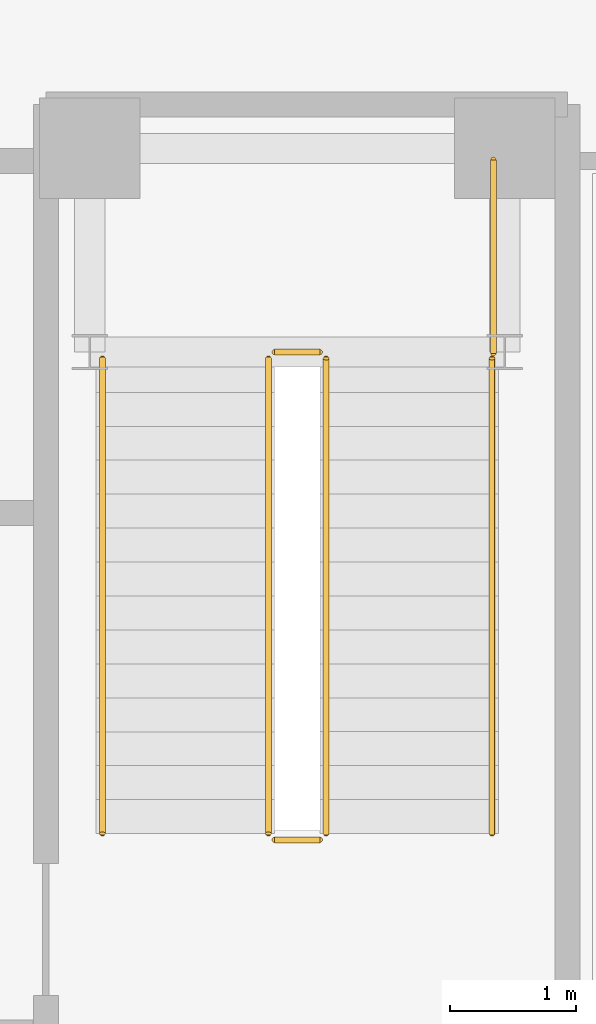
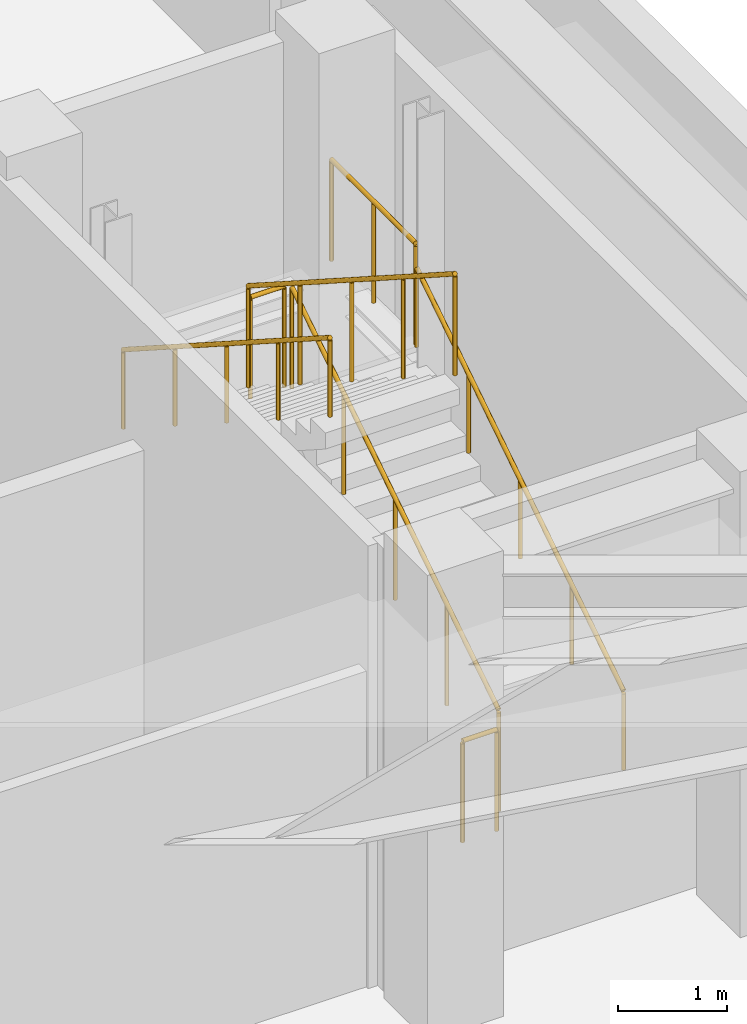
# One storey, part 27 of 27: 7 railings.
"""IFC4 building model written with IfcOpenShell, lengths in metres."""

from ifc_helpers import new_model, si_unit, direction, frame, origin, origin_2d, place, context, subcontext, project, spatial, circle, extrude, material, layer, layer_set, type_object, element, save


model = new_model("IFC4")

# Units and contexts
model_context = context("Model", 3, precision=1e-05, world=origin(), true_north=direction((0.0, 1.0)))
body_context = subcontext(model_context, "Body", "Model", "MODEL_VIEW")
ifc_project = project(units=[si_unit("LENGTHUNIT", "METRE"), si_unit("AREAUNIT", "SQUARE_METRE"), si_unit("VOLUMEUNIT", "CUBIC_METRE"), si_unit("PLANEANGLEUNIT", "RADIAN"), si_unit("MASSUNIT", "GRAM", prefix="KILO")], contexts=[model_context])

# Site, building, storey
site_placement = place(None, origin())
site = spatial("IfcSite", under=ifc_project, at=site_placement, CompositionType="ELEMENT")
building_placement = place(site_placement, origin())
building = spatial("IfcBuilding", under=site, at=building_placement, Name="Terralouvre Media Tower", CompositionType="ELEMENT")
storey_placement = place(building_placement, frame((0.0, 0.0, 20.800048828125)))
storey = spatial("IfcBuildingStorey", under=building, at=storey_placement, Name="L04", CompositionType="ELEMENT", Elevation=20.800048828125)

# Railings
ifc_material_1 = material(Name="Stainless steel 316 handrail and balustrade", Category="steel")
ifc_layer_1 = layer(ifc_material_1, 0.050048828125, Name="Stair Flight Wall Handrail HR-INT1")
ifc_layer_set_1 = layer_set([ifc_layer_1], Name="Stainless steel 316 handrail and balustrade")
railing_type_1 = type_object("IfcRailingType", Name="Stair Flight Wall Handrail HR-INT1", PredefinedType="HANDRAIL", material=ifc_layer_set_1)
railing_1_placement = place(storey_placement, frame((34.14990234375, 5.85009765625, 0.17333984375)))
element("IfcRailing", 1, at=railing_1_placement, inside=storey, type_object=railing_type_1, Name="L04 ST-04 stair handrail 1", PredefinedType="HANDRAIL", context=body_context, shape_type="SweptSolid", body=[
    extrude(circle(Radius=0.02392578125, at=origin_2d()), frame((0.0, 0.0, 0.8759765625), z_axis=(0.0, 0.84151738831, 0.540230029868), x_axis=(-1.0, 0.0, 0.0)), (0.0, 0.0, 1.0), 4.49169921875),
    extrude(circle(Radius=0.02099609375, at=origin_2d()), origin(), (0.0, 0.0, 1.0), 0.851806640625),
    extrude(circle(Radius=0.02099609375, at=origin_2d()), frame((0.0, 0.94482421875, 0.606689453125)), (0.0, 0.0, 1.0), 0.851806640625),
    extrude(circle(Radius=0.02099609375, at=origin_2d()), frame((0.0, 1.889892578125, 1.21337890625)), (0.0, 0.0, 1.0), 0.851806640625),
    extrude(circle(Radius=0.02099609375, at=origin_2d()), frame((0.0, 2.8349609375, 1.81982421875)), (0.0, 0.0, 1.0), 0.851806640625),
    extrude(circle(Radius=0.02099609375, at=origin_2d()), frame((0.0, 3.77978515625, 2.426513671875)), (0.0, 0.0, 1.0), 0.851806640625),
])
railing_2_placement = place(storey_placement, frame((31.050048828125, 9.6298828125, 2.773193359375)))
element("IfcRailing", 2, at=railing_2_placement, inside=storey, type_object=railing_type_1, Name="L04 ST-04 stair handrail 2", PredefinedType="HANDRAIL", context=body_context, shape_type="SweptSolid", body=[
    extrude(circle(Radius=0.02392578125, at=origin_2d()), frame((0.0, 0.0, 0.8759765625), z_axis=(0.0, -0.841492677865, 0.540268519441), x_axis=(1.0, 0.0, 0.0)), (0.0, 0.0, 1.0), 4.49169921875),
    extrude(circle(Radius=0.02099609375, at=origin_2d()), origin(), (0.0, 0.0, 1.0), 0.851806640625),
    extrude(circle(Radius=0.02099609375, at=origin_2d()), frame((0.0, -0.94482421875, 0.606689453125)), (0.0, 0.0, 1.0), 0.851806640625),
    extrude(circle(Radius=0.02099609375, at=origin_2d()), frame((0.0, -1.889892578125, 1.21337890625)), (0.0, 0.0, 1.0), 0.851806640625),
    extrude(circle(Radius=0.02099609375, at=origin_2d()), frame((0.0, -2.8349609375, 1.820068359375)), (0.0, 0.0, 1.0), 0.851806640625),
    extrude(circle(Radius=0.02099609375, at=origin_2d()), frame((0.0, -3.77978515625, 2.4267578125)), (0.0, 0.0, 1.0), 0.851806640625),
])
ifc_material_2 = material(Name="Stainless steel 316 handrail and balustrade", Category="steel")
ifc_layer_2 = layer(ifc_material_2, 0.050048828125, Name="Stairwell Safety Guardrail GR-INT1")
ifc_layer_set_2 = layer_set([ifc_layer_2], Name="Stainless steel 316 handrail and balustrade")
railing_type_2 = type_object("IfcRailingType", Name="Stairwell Safety Guardrail GR-INT1", PredefinedType="GUARDRAIL", material=ifc_layer_set_2)
railing_3_placement = place(storey_placement, frame((32.830078125, 5.85009765625, 0.17333984375)))
element("IfcRailing", 3, at=railing_3_placement, inside=storey, type_object=railing_type_2, Name="L04 ST-04 stair guard 1", PredefinedType="GUARDRAIL", context=body_context, shape_type="SweptSolid", body=[
    extrude(circle(Radius=0.02392578125, at=origin_2d()), frame((0.0, 0.0, 1.1259765625), z_axis=(0.0, 0.84151738831, 0.540230029868), x_axis=(-1.0, 0.0, 0.0)), (0.0, 0.0, 1.0), 4.49169921875),
    extrude(circle(Radius=0.02099609375, at=origin_2d()), origin(), (0.0, 0.0, 1.0), 1.101806640625),
    extrude(circle(Radius=0.02099609375, at=origin_2d()), frame((0.0, 0.94482421875, 0.606689453125)), (0.0, 0.0, 1.0), 1.101806640625),
    extrude(circle(Radius=0.02099609375, at=origin_2d()), frame((0.0, 1.889892578125, 1.21337890625)), (0.0, 0.0, 1.0), 1.101806640625),
    extrude(circle(Radius=0.02099609375, at=origin_2d()), frame((0.0, 2.8349609375, 1.81982421875)), (0.0, 0.0, 1.0), 1.101806640625),
    extrude(circle(Radius=0.02099609375, at=origin_2d()), frame((0.0, 3.77978515625, 2.426513671875)), (0.0, 0.0, 1.0), 1.101806640625),
])
railing_4_placement = place(storey_placement, frame((32.780029296875, 9.679931640625, 2.599853515625)))
element("IfcRailing", 4, at=railing_4_placement, inside=storey, type_object=railing_type_2, Name="L04 ST-04 stair guard 2", PredefinedType="GUARDRAIL", context=body_context, shape_type="SweptSolid", body=[
    extrude(circle(Radius=0.02392578125, at=origin_2d()), frame((0.0, 0.0, 1.1259765625), z_axis=(-1.0, 0.0, 0.0), x_axis=(0.0, -1.0, 0.0)), (0.0, 0.0, 1.0), 0.360107421875),
    extrude(circle(Radius=0.02099609375, at=origin_2d()), origin(), (0.0, 0.0, 1.0), 1.101806640625),
    extrude(circle(Radius=0.02099609375, at=origin_2d()), frame((-0.360107421875, 0.0, 0.0)), (0.0, 0.0, 1.0), 1.101806640625),
])
railing_5_placement = place(storey_placement, frame((32.3701171875, 9.6298828125, 2.773193359375)))
element("IfcRailing", 5, at=railing_5_placement, inside=storey, type_object=railing_type_2, Name="L04 ST-04 stair guard 3", PredefinedType="GUARDRAIL", context=body_context, shape_type="SweptSolid", body=[
    extrude(circle(Radius=0.02392578125, at=origin_2d()), frame((0.0, 0.0, 1.1259765625), z_axis=(0.0, -0.841492677865, 0.540268519441), x_axis=(1.0, 0.0, 0.0)), (0.0, 0.0, 1.0), 4.49169921875),
    extrude(circle(Radius=0.02099609375, at=origin_2d()), origin(), (0.0, 0.0, 1.0), 1.101806640625),
    extrude(circle(Radius=0.02099609375, at=origin_2d()), frame((0.0, -0.94482421875, 0.606689453125)), (0.0, 0.0, 1.0), 1.101806640625),
    extrude(circle(Radius=0.02099609375, at=origin_2d()), frame((0.0, -1.889892578125, 1.21337890625)), (0.0, 0.0, 1.0), 1.101806640625),
    extrude(circle(Radius=0.02099609375, at=origin_2d()), frame((0.0, -2.8349609375, 1.820068359375)), (0.0, 0.0, 1.0), 1.101806640625),
    extrude(circle(Radius=0.02099609375, at=origin_2d()), frame((0.0, -3.77978515625, 2.4267578125)), (0.0, 0.0, 1.0), 1.101806640625),
])
railing_6_placement = place(storey_placement, frame((32.780029296875, 5.800048828125, 0.0)))
element("IfcRailing", 6, at=railing_6_placement, inside=storey, type_object=railing_type_2, Name="L04 ST-04 stair guard 4", PredefinedType="GUARDRAIL", context=body_context, shape_type="SweptSolid", body=[
    extrude(circle(Radius=0.02392578125, at=origin_2d()), frame((0.0, 0.0, 1.1259765625), z_axis=(-1.0, 0.0, 0.0), x_axis=(0.0, -1.0, 0.0)), (0.0, 0.0, 1.0), 0.360107421875),
    extrude(circle(Radius=0.02099609375, at=origin_2d()), origin(), (0.0, 0.0, 1.0), 1.101806640625),
    extrude(circle(Radius=0.02099609375, at=origin_2d()), frame((-0.360107421875, 0.0, 0.0)), (0.0, 0.0, 1.0), 1.101806640625),
])
railing_7_placement = place(storey_placement, frame((34.159912109375, 9.669921875, 2.599853515625)))
element("IfcRailing", 7, at=railing_7_placement, inside=storey, type_object=railing_type_2, Name="L04 ST-04 Half-Landing Outer Guardrail", PredefinedType="GUARDRAIL", context=body_context, shape_type="SweptSolid", body=[
    extrude(circle(Radius=0.02392578125, at=origin_2d()), frame((0.0, 0.0, 1.1259765625), z_axis=(0.0, 1.0, 0.0), x_axis=(-1.0, 0.0, 0.0)), (0.0, 0.0, 1.0), 1.5400390625),
    extrude(circle(Radius=0.02099609375, at=origin_2d()), origin(), (0.0, 0.0, 1.0), 1.101806640625),
    extrude(circle(Radius=0.02099609375, at=origin_2d()), frame((0.0, 0.77001953125, 0.0)), (0.0, 0.0, 1.0), 1.101806640625),
    extrude(circle(Radius=0.02099609375, at=origin_2d()), frame((0.0, 1.5400390625, 0.0)), (0.0, 0.0, 1.0), 1.101806640625),
])

save(model, "model.ifc")
